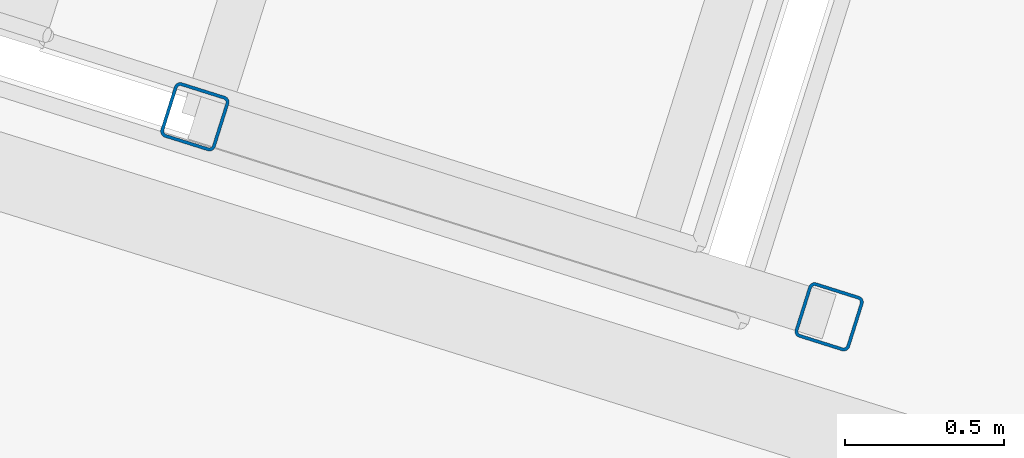
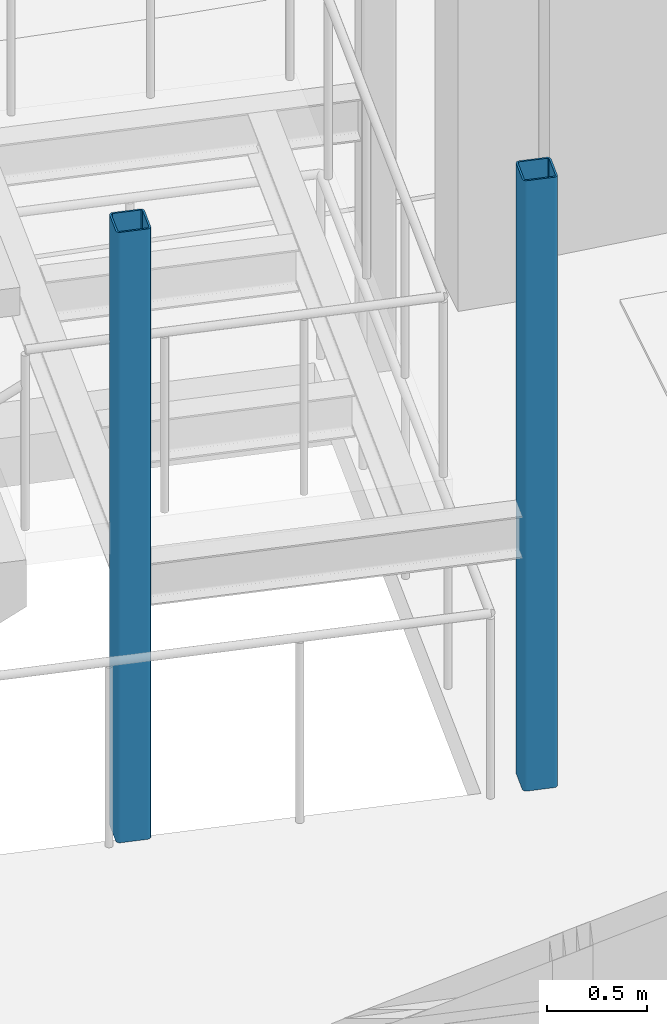
# One storey, part 2 of 66: 2 columns.
"""IFC4 building model written with IfcOpenShell, lengths in metres."""

from ifc_helpers import new_model, si_unit, direction, frame, origin, origin_2d, place, context, subcontext, project, spatial, hollow_rectangle, extrude, material, material_profile, profile_set, type_object, element, save


model = new_model("IFC4")

# Units and contexts
model_context = context("Model", 3, precision=1e-05, world=origin(), true_north=direction((0.0, 1.0)))
body_context = subcontext(model_context, "Body", "Model", "MODEL_VIEW")
ifc_project = project(units=[si_unit("LENGTHUNIT", "METRE"), si_unit("AREAUNIT", "SQUARE_METRE"), si_unit("VOLUMEUNIT", "CUBIC_METRE"), si_unit("PLANEANGLEUNIT", "RADIAN"), si_unit("MASSUNIT", "GRAM", prefix="KILO")], contexts=[model_context])

# Site, building, storey
site_placement = place(None, origin())
site = spatial("IfcSite", under=ifc_project, at=site_placement, CompositionType="ELEMENT")
building_placement = place(site_placement, origin())
building = spatial("IfcBuilding", under=site, at=building_placement, Name="Caldaven Crescent School", CompositionType="ELEMENT")
storey_placement = place(building_placement, frame((0.0, 0.0, 8.159912109375)))
storey = spatial("IfcBuildingStorey", under=building, at=storey_placement, Name="L02", CompositionType="ELEMENT", Elevation=8.159912109375)

# Columns
ifc_material = material(Name="Steel ASTM A572 Grade 50", Category="steel")
ifc_material_profile = material_profile(ifc_material, hollow_rectangle(XDim=0.179931640625, YDim=0.179931640625, WallThickness=0.010009765625, InnerFilletRadius=0.010009765625, OuterFilletRadius=0.02001953125, at=origin_2d()), Name="HSS 180x180x10")
ifc_profile_set = profile_set([ifc_material_profile], Name="Steel ASTM A572 Grade 50")
column_type = type_object("IfcColumnType", Name="COL-HS18", PredefinedType="COLUMN", material=ifc_profile_set)
for number, where, z_axis, x_axis, name in (
    (1, (69.12109375, 32.864990234375, 0.0), (0.0, 0.0, 1.0), (0.953716950748, -0.300705799504, 0.0), "COL-STPOST-ST2-L02-A"),
    (2, (71.114501953125, 32.236328125, 0.0), (0.0, 0.0, 1.0), (0.953716950748, -0.300705799504, 0.0), "COL-STPOST-ST2-L02-C"),
):
    element("IfcColumn", number, at=place(storey_placement, frame(where, z_axis=z_axis, x_axis=x_axis)), inside=storey, type_object=column_type, Name=name, PredefinedType="COLUMN", context=body_context, shape_type="SweptSolid", body=[
        extrude(hollow_rectangle(XDim=0.179931640625, YDim=0.179931640625, WallThickness=0.010009765625, InnerFilletRadius=0.010009765625, OuterFilletRadius=0.02001953125, at=origin_2d()), origin(), (0.0, 0.0, 1.0), 3.739990234375),
    ])

save(model, "model.ifc")
